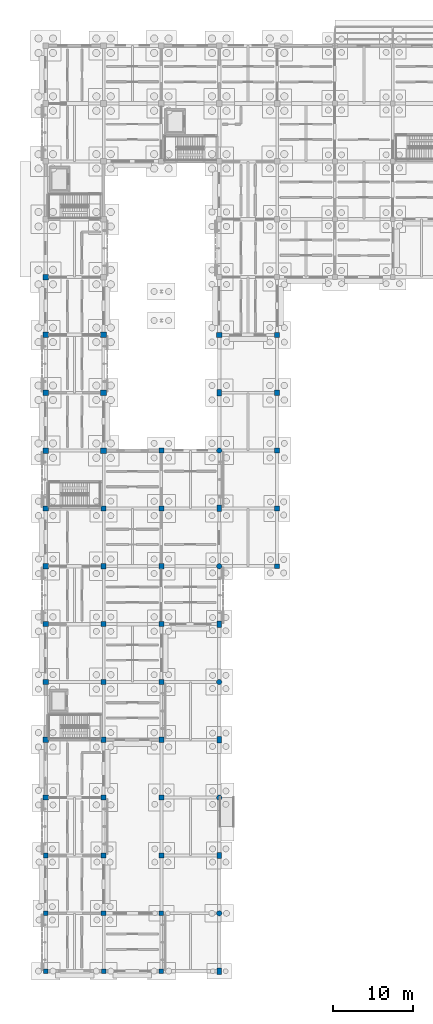
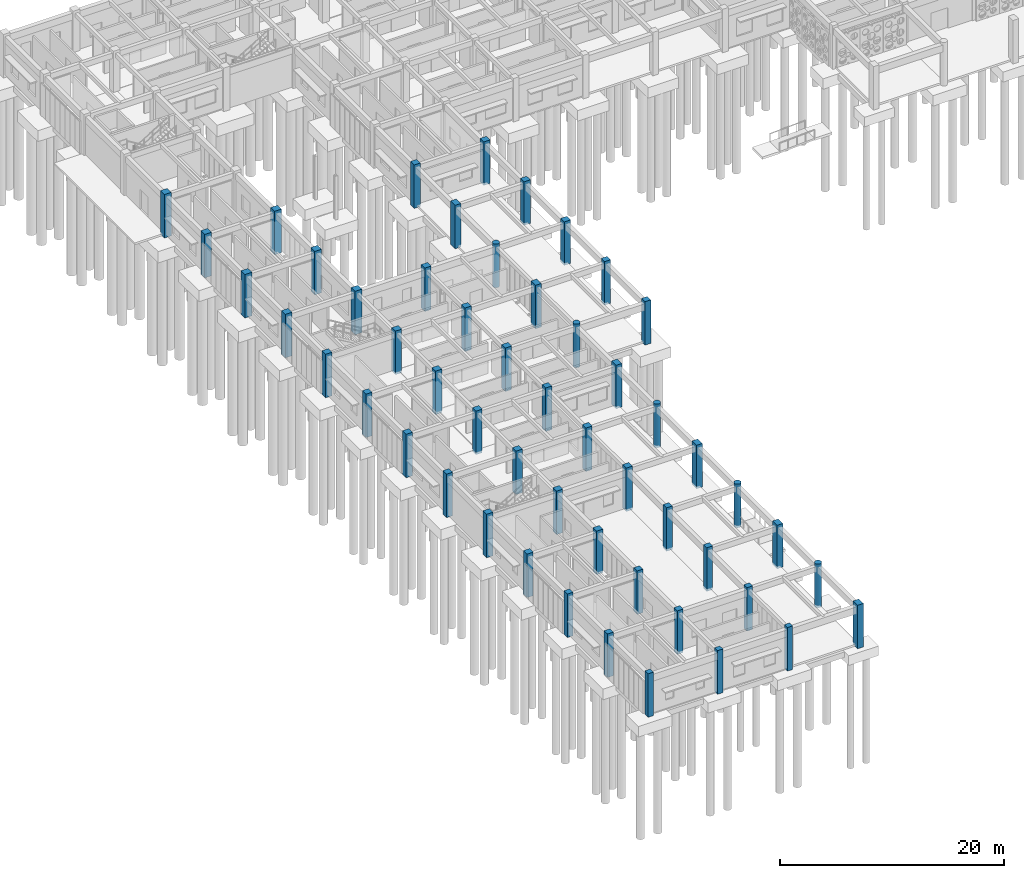
# One storey, part 7 of 111: 52 columns.
"""IFC4 building model written with IfcOpenShell, lengths in metres."""

from ifc_helpers import new_model, si_unit, direction, frame, origin, origin_2d, place, context, subcontext, project, spatial, rectangle, circle, extrude, material, material_profile, profile_set, type_object, element, save


model = new_model("IFC4")

# Units and contexts
model_context = context("Model", 3, precision=1e-05, world=origin(), true_north=direction((0.0, 1.0)))
body_context = subcontext(model_context, "Body", "Model", "MODEL_VIEW")
ifc_project = project(units=[si_unit("LENGTHUNIT", "METRE"), si_unit("AREAUNIT", "SQUARE_METRE"), si_unit("VOLUMEUNIT", "CUBIC_METRE"), si_unit("PLANEANGLEUNIT", "RADIAN"), si_unit("MASSUNIT", "GRAM", prefix="KILO")], contexts=[model_context])

# Site, building, storey
site_placement = place(None, origin())
site = spatial("IfcSite", under=ifc_project, at=site_placement, CompositionType="ELEMENT")
building_placement = place(site_placement, origin())
building = spatial("IfcBuilding", under=site, at=building_placement, Name="Aldebral Square Health Centre", CompositionType="ELEMENT")
storey_placement = place(building_placement, origin())
storey = spatial("IfcBuildingStorey", under=building, at=storey_placement, Name="L00", CompositionType="ELEMENT", Elevation=0.0)

# Columns
ifc_material = material(Name="Concrete C40/50", Category="concrete")
ifc_material_profile_1 = material_profile(ifc_material, rectangle(XDim=0.699951171875, YDim=0.699951171875, at=origin_2d()), Name="RC 700x700")
ifc_profile_set_1 = profile_set([ifc_material_profile_1], Name="Concrete C40/50")
column_type_1 = type_object("IfcColumnType", Name="COL-C1", PredefinedType="COLUMN", material=ifc_profile_set_1)
for number, where, z_axis, x_axis, name in (
    (1, (0.0, 64.800048828125, -0.25), (0.0, 0.0, 1.0), (1.0, 0.0, 0.0), "L00 column 1/10"),
    (2, (0.0, 72.0, -0.25), (0.0, 0.0, 1.0), (1.0, 0.0, 0.0), "L00 column 1/11"),
    (3, (0.0, 79.199951171875, -0.25), (0.0, 0.0, 1.0), (1.0, 0.0, 0.0), "L00 column 1/12"),
    (4, (0.0, 86.39990234375, -0.25), (0.0, 0.0, 1.0), (1.0, 0.0, 0.0), "L00 column 1/13"),
    (5, (7.199951171875, 64.800048828125, -0.25), (0.0, 0.0, 1.0), (1.0, 0.0, 0.0), "L00 column 2/10"),
    (6, (7.199951171875, 72.0, -0.25), (0.0, 0.0, 1.0), (1.0, 0.0, 0.0), "L00 column 2/11"),
    (7, (7.199951171875, 79.199951171875, -0.25), (0.0, 0.0, 1.0), (1.0, 0.0, 0.0), "L00 column 2/12"),
):
    element("IfcColumn", number, at=place(storey_placement, frame(where, z_axis=z_axis, x_axis=x_axis)), inside=storey, type_object=column_type_1, Name=name, PredefinedType="COLUMN", context=body_context, shape_type="SweptSolid", body=[
        extrude(rectangle(XDim=0.699951171875, YDim=0.699951171875, at=origin_2d()), origin(), (0.0, 0.0, 1.0), 4.75),
    ])
ifc_material_profile_2 = material_profile(ifc_material, rectangle(XDim=0.64990234375, YDim=0.64990234375, at=origin_2d()), Name="RC 650x650")
ifc_profile_set_2 = profile_set([ifc_material_profile_2], Name="Concrete C40/50")
column_type_2 = type_object("IfcColumnType", Name="COL-C2", PredefinedType="COLUMN", material=ifc_profile_set_2)
for number, where, z_axis, x_axis, name in (
    (8, (0.0, 21.60009765625, -0.25), (0.0, 0.0, 1.0), (1.0, 0.0, 0.0), "L00 column 1/4"),
    (9, (0.0, 28.800048828125, -0.25), (0.0, 0.0, 1.0), (1.0, 0.0, 0.0), "L00 column 1/5"),
    (10, (0.0, 36.0, -0.25), (0.0, 0.0, 1.0), (1.0, 0.0, 0.0), "L00 column 1/6"),
    (11, (0.0, 43.199951171875, -0.25), (0.0, 0.0, 1.0), (1.0, 0.0, 0.0), "L00 column 1/7"),
    (12, (0.0, 50.39990234375, -0.25), (0.0, 0.0, 1.0), (1.0, 0.0, 0.0), "L00 column 1/8"),
    (13, (0.0, 57.60009765625, -0.25), (0.0, 0.0, 1.0), (1.0, 0.0, 0.0), "L00 column 1/9"),
    (14, (7.199951171875, 21.60009765625, -0.25), (0.0, 0.0, 1.0), (1.0, 0.0, 0.0), "L00 column 2/4"),
    (15, (7.199951171875, 28.800048828125, -0.25), (0.0, 0.0, 1.0), (1.0, 0.0, 0.0), "L00 column 2/5"),
    (16, (7.199951171875, 36.0, -0.25), (0.0, 0.0, 1.0), (1.0, 0.0, 0.0), "L00 column 2/6"),
    (17, (7.199951171875, 43.199951171875, -0.25), (0.0, 0.0, 1.0), (1.0, 0.0, 0.0), "L00 column 2/7"),
    (18, (7.199951171875, 50.39990234375, -0.25), (0.0, 0.0, 1.0), (1.0, 0.0, 0.0), "L00 column 2/8"),
    (19, (7.199951171875, 57.60009765625, -0.25), (0.0, 0.0, 1.0), (1.0, 0.0, 0.0), "L00 column 2/9"),
    (20, (14.39990234375, 28.800048828125, -0.25), (0.0, 0.0, 1.0), (1.0, 0.0, 0.0), "L00 column 3/5"),
    (21, (14.39990234375, 36.0, -0.25), (0.0, 0.0, 1.0), (1.0, 0.0, 0.0), "L00 column 3/6"),
    (22, (14.39990234375, 43.199951171875, -0.25), (0.0, 0.0, 1.0), (1.0, 0.0, 0.0), "L00 column 3/7"),
    (23, (14.39990234375, 50.39990234375, -0.25), (0.0, 0.0, 1.0), (1.0, 0.0, 0.0), "L00 column 3/8"),
    (24, (14.39990234375, 57.60009765625, -0.25), (0.0, 0.0, 1.0), (1.0, 0.0, 0.0), "L00 column 3/9"),
    (25, (14.39990234375, 64.800048828125, -0.25), (0.0, 0.0, 1.0), (1.0, 0.0, 0.0), "L00 column 3/10"),
    (26, (21.60009765625, 79.199951171875, -0.25), (0.0, 0.0, 1.0), (1.0, 0.0, 0.0), "L00 column 4/12"),
    (27, (28.800048828125, 64.800048828125, -0.25), (0.0, 0.0, 1.0), (1.0, 0.0, 0.0), "L00 column 5/10"),
    (28, (28.800048828125, 72.0, -0.25), (0.0, 0.0, 1.0), (1.0, 0.0, 0.0), "L00 column 5/11"),
    (29, (28.800048828125, 79.199951171875, -0.25), (0.0, 0.0, 1.0), (1.0, 0.0, 0.0), "L00 column 5/12"),
):
    element("IfcColumn", number, at=place(storey_placement, frame(where, z_axis=z_axis, x_axis=x_axis)), inside=storey, type_object=column_type_2, Name=name, PredefinedType="COLUMN", context=body_context, shape_type="SweptSolid", body=[
        extrude(rectangle(XDim=0.64990234375, YDim=0.64990234375, at=origin_2d()), origin(), (0.0, 0.0, 1.0), 4.75),
    ])
ifc_material_profile_3 = material_profile(ifc_material, rectangle(XDim=0.60009765625, YDim=0.60009765625, at=origin_2d()), Name="RC 600x600")
ifc_profile_set_3 = profile_set([ifc_material_profile_3], Name="Concrete C40/50")
column_type_3 = type_object("IfcColumnType", Name="COL-C3", PredefinedType="COLUMN", material=ifc_profile_set_3)
for number, where, z_axis, x_axis, name in (
    (30, (0.0, 7.199951171875, -0.25), (0.0, 0.0, 1.0), (1.0, 0.0, 0.0), "L00 column 1/2"),
    (31, (0.0, 14.39990234375, -0.25), (0.0, 0.0, 1.0), (1.0, 0.0, 0.0), "L00 column 1/3"),
    (32, (7.199951171875, 7.199951171875, -0.25), (0.0, 0.0, 1.0), (1.0, 0.0, 0.0), "L00 column 2/2"),
    (33, (7.199951171875, 14.39990234375, -0.25), (0.0, 0.0, 1.0), (1.0, 0.0, 0.0), "L00 column 2/3"),
    (34, (14.39990234375, 14.39990234375, -0.25), (0.0, 0.0, 1.0), (1.0, 0.0, 0.0), "L00 column 3/3"),
    (35, (14.39990234375, 21.60009765625, -0.25), (0.0, 0.0, 1.0), (1.0, 0.0, 0.0), "L00 column 3/4"),
    (36, (28.800048828125, 50.39990234375, -0.25), (0.0, 0.0, 1.0), (1.0, 0.0, 0.0), "L00 column 5/8"),
    (37, (28.800048828125, 57.60009765625, -0.25), (0.0, 0.0, 1.0), (1.0, 0.0, 0.0), "L00 column 5/9"),
):
    element("IfcColumn", number, at=place(storey_placement, frame(where, z_axis=z_axis, x_axis=x_axis)), inside=storey, type_object=column_type_3, Name=name, PredefinedType="COLUMN", context=body_context, shape_type="SweptSolid", body=[
        extrude(rectangle(XDim=0.60009765625, YDim=0.60009765625, at=origin_2d()), origin(), (0.0, 0.0, 1.0), 4.75),
    ])
ifc_material_profile_4 = material_profile(ifc_material, rectangle(XDim=0.550048828125, YDim=0.550048828125, at=origin_2d()), Name="RC 550x550")
ifc_profile_set_4 = profile_set([ifc_material_profile_4], Name="Concrete C40/50")
column_type_4 = type_object("IfcColumnType", Name="COL-C4", PredefinedType="COLUMN", material=ifc_profile_set_4)
for number, where, z_axis, x_axis, name in (
    (38, (0.0, 0.0, -0.25), (0.0, 0.0, 1.0), (1.0, 0.0, 0.0), "L00 column 1/1"),
    (39, (7.199951171875, 0.0, -0.25), (0.0, 0.0, 1.0), (1.0, 0.0, 0.0), "L00 column 2/1"),
    (40, (14.39990234375, 0.0, -0.25), (0.0, 0.0, 1.0), (1.0, 0.0, 0.0), "L00 column 3/1"),
    (41, (14.39990234375, 7.199951171875, -0.25), (0.0, 0.0, 1.0), (1.0, 0.0, 0.0), "L00 column 3/2"),
):
    element("IfcColumn", number, at=place(storey_placement, frame(where, z_axis=z_axis, x_axis=x_axis)), inside=storey, type_object=column_type_4, Name=name, PredefinedType="COLUMN", context=body_context, shape_type="SweptSolid", body=[
        extrude(rectangle(XDim=0.550048828125, YDim=0.550048828125, at=origin_2d()), origin(), (0.0, 0.0, 1.0), 4.75),
    ])
ifc_material_profile_5 = material_profile(ifc_material, rectangle(XDim=0.60009765625, YDim=0.800048828125, at=origin_2d()), Name="RC 600x800")
ifc_profile_set_5 = profile_set([ifc_material_profile_5], Name="Concrete C40/50")
column_type_5 = type_object("IfcColumnType", Name="COL-C7", PredefinedType="PILASTER", material=ifc_profile_set_5)
for number, where, z_axis, x_axis, name in (
    (42, (21.60009765625, 0.0, -0.25), (0.0, 0.0, 1.0), (1.0, 0.0, 0.0), "L00 column 4/1"),
    (43, (21.60009765625, 14.39990234375, -0.25), (0.0, 0.0, 1.0), (1.0, 0.0, 0.0), "L00 column 4/3"),
    (44, (21.60009765625, 28.800048828125, -0.25), (0.0, 0.0, 1.0), (1.0, 0.0, 0.0), "L00 column 4/5"),
    (45, (21.60009765625, 43.199951171875, -0.25), (0.0, 0.0, 1.0), (1.0, 0.0, 0.0), "L00 column 4/7"),
    (46, (21.60009765625, 57.60009765625, -0.25), (0.0, 0.0, 1.0), (1.0, 0.0, 0.0), "L00 column 4/9"),
    (47, (21.60009765625, 72.0, -0.25), (0.0, 0.0, 1.0), (1.0, 0.0, 0.0), "L00 column 4/11"),
):
    element("IfcColumn", number, at=place(storey_placement, frame(where, z_axis=z_axis, x_axis=x_axis)), inside=storey, type_object=column_type_5, Name=name, PredefinedType="PILASTER", context=body_context, shape_type="SweptSolid", body=[
        extrude(rectangle(XDim=0.60009765625, YDim=0.800048828125, at=origin_2d()), origin(), (0.0, 0.0, 1.0), 4.75),
    ])
ifc_material_profile_6 = material_profile(ifc_material, circle(Radius=0.324951171875, at=origin_2d()), Name="RC D650")
ifc_profile_set_6 = profile_set([ifc_material_profile_6], Name="Concrete C40/50")
column_type_6 = type_object("IfcColumnType", Name="COL-C8", PredefinedType="COLUMN", material=ifc_profile_set_6)
for number, where, z_axis, x_axis, name in (
    (48, (21.60009765625, 7.199951171875, -0.25), (0.0, 0.0, 1.0), (1.0, 0.0, 0.0), "L00 column 4/2"),
    (49, (21.60009765625, 21.60009765625, -0.25), (0.0, 0.0, 1.0), (1.0, 0.0, 0.0), "L00 column 4/4"),
    (50, (21.60009765625, 36.0, -0.25), (0.0, 0.0, 1.0), (1.0, 0.0, 0.0), "L00 column 4/6"),
    (51, (21.60009765625, 50.39990234375, -0.25), (0.0, 0.0, 1.0), (1.0, 0.0, 0.0), "L00 column 4/8"),
    (52, (21.60009765625, 64.800048828125, -0.25), (0.0, 0.0, 1.0), (1.0, 0.0, 0.0), "L00 column 4/10"),
):
    element("IfcColumn", number, at=place(storey_placement, frame(where, z_axis=z_axis, x_axis=x_axis)), inside=storey, type_object=column_type_6, Name=name, PredefinedType="COLUMN", context=body_context, shape_type="SweptSolid", body=[
        extrude(circle(Radius=0.324951171875, at=origin_2d()), origin(), (0.0, 0.0, 1.0), 4.75),
    ])

save(model, "model.ifc")
